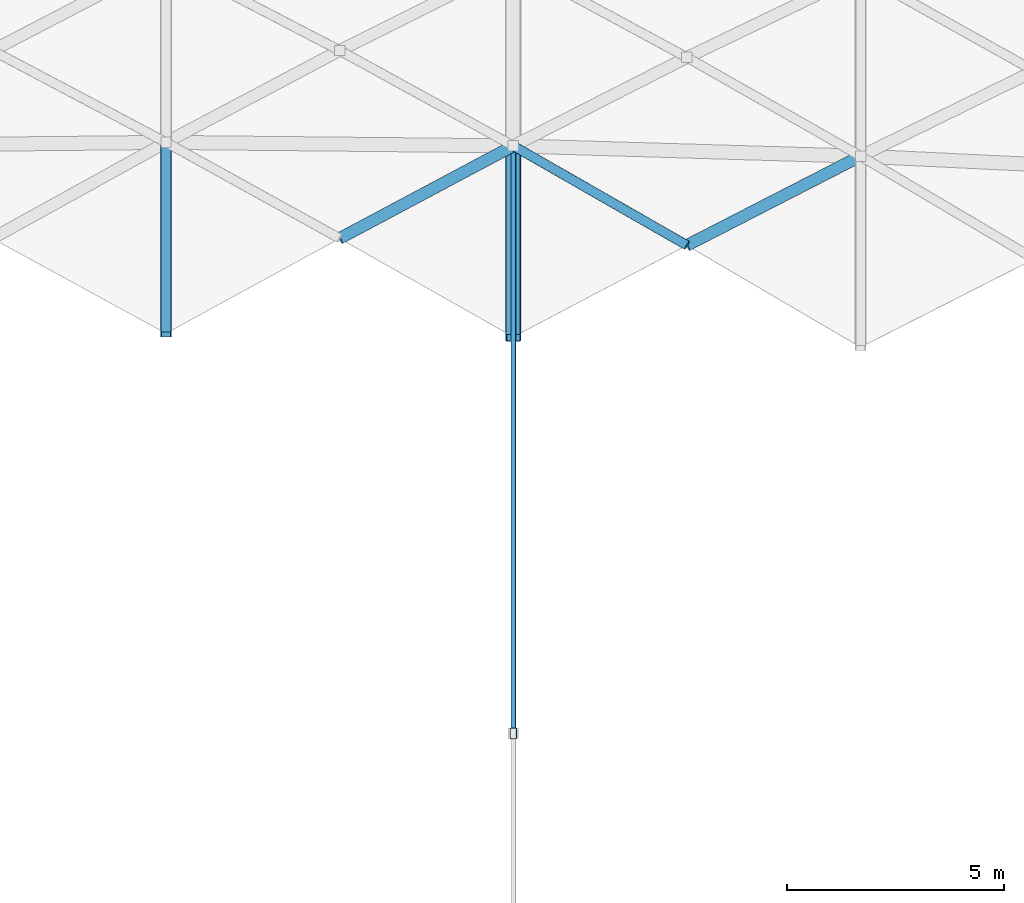
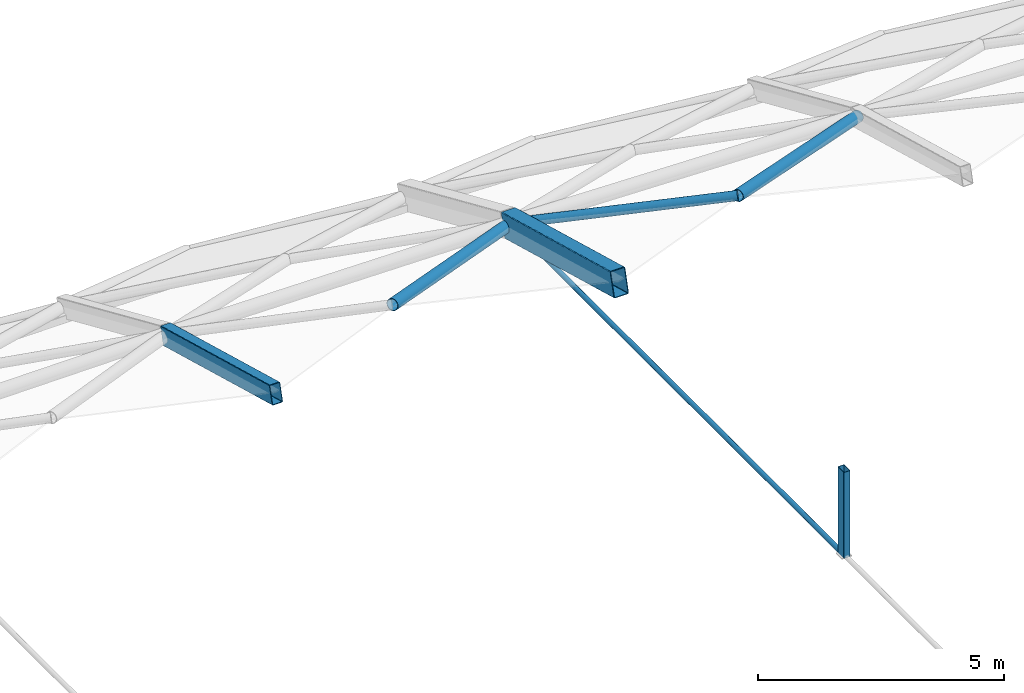
# One storey, part 11 of 54: 5 members, 2 beams.
"""IFC4 building model written with IfcOpenShell, lengths in metres."""

from ifc_helpers import new_model, si_unit, direction, frame, origin, origin_2d, place, context, subcontext, project, spatial, hollow_rectangle, hollow_circle, extrude, material, material_profile, profile_set, type_object, element, save


model = new_model("IFC4")

# Units and contexts
model_context = context("Model", 3, precision=1e-05, world=origin(), true_north=direction((0.0, 1.0)))
body_context = subcontext(model_context, "Body", "Model", "MODEL_VIEW")
ifc_project = project(units=[si_unit("LENGTHUNIT", "METRE"), si_unit("AREAUNIT", "SQUARE_METRE"), si_unit("VOLUMEUNIT", "CUBIC_METRE"), si_unit("PLANEANGLEUNIT", "RADIAN"), si_unit("MASSUNIT", "GRAM", prefix="KILO")], contexts=[model_context])

# Site, building, storey
site_placement = place(None, origin())
site = spatial("IfcSite", under=ifc_project, at=site_placement, CompositionType="ELEMENT")
building_placement = place(site_placement, origin())
building = spatial("IfcBuilding", under=site, at=building_placement, Name="Kenh Van Central Station", CompositionType="ELEMENT")
storey_placement = place(building_placement, frame((0.0, 0.0, 15.0)))
storey = spatial("IfcBuildingStorey", under=building, at=storey_placement, Name="L03", CompositionType="ELEMENT", Elevation=15.0)

# Beams
ifc_material = material(Name="White fluoropolymer structural steel S355", Category="steel")
ifc_material_profile_1 = material_profile(ifc_material, hollow_rectangle(XDim=0.35009765625, YDim=0.60009765625, WallThickness=0.01611328125, InnerFilletRadius=0.01611328125, OuterFilletRadius=0.031982421875, at=origin_2d()), Name="RHS 600x350x16")
ifc_profile_set_1 = profile_set([ifc_material_profile_1], Name="White fluoropolymer structural steel S355")
beam_type_1 = type_object("IfcBeamType", Name="BM-VAULT-ARCH600", PredefinedType="BEAM", material=ifc_profile_set_1)
beam_1_placement = place(storey_placement, frame((96.0, 100.23291015625, 5.28173828125), z_axis=(0.0, 0.964381836979, -0.264514030829), x_axis=(-1.0, 0.0, 0.0)))
element("IfcBeam", 1, at=beam_1_placement, inside=storey, type_object=beam_type_1, Name="Vault transverse arch 102", PredefinedType="BEAM", context=body_context, shape_type="SweptSolid", body=[
    extrude(hollow_rectangle(XDim=0.35009765625, YDim=0.60009765625, WallThickness=0.01611328125, InnerFilletRadius=0.01611328125, OuterFilletRadius=0.031982421875, at=origin_2d()), origin(), (0.0, 0.0, 1.0), 4.58447265625),
])
ifc_material_profile_2 = material_profile(ifc_material, hollow_rectangle(XDim=0.25, YDim=0.449951171875, WallThickness=0.012451171875, InnerFilletRadius=0.012451171875, OuterFilletRadius=0.02490234375, at=origin_2d()), Name="RHS 450x250x12.5")
ifc_profile_set_2 = profile_set([ifc_material_profile_2], Name="White fluoropolymer structural steel S355")
beam_type_2 = type_object("IfcBeamType", Name="BM-VAULT-SUB450", PredefinedType="BEAM", material=ifc_profile_set_2)
beam_2_placement = place(storey_placement, frame((88.0, 100.31298828125, 5.28173828125), z_axis=(0.0, 0.96438556277, -0.26450044673), x_axis=(-1.0, 0.0, 0.0)))
element("IfcBeam", 2, at=beam_2_placement, inside=storey, type_object=beam_type_2, Name="Vault transverse arch 090", PredefinedType="BEAM", context=body_context, shape_type="SweptSolid", body=[
    extrude(hollow_rectangle(XDim=0.25, YDim=0.449951171875, WallThickness=0.012451171875, InnerFilletRadius=0.012451171875, OuterFilletRadius=0.02490234375, at=origin_2d()), origin(), (0.0, 0.0, 1.0), 4.584716796875),
])

# Members
ifc_material_profile_3 = material_profile(ifc_material, hollow_rectangle(XDim=0.14990234375, YDim=0.25, WallThickness=0.008056640625, InnerFilletRadius=0.008056640625, OuterFilletRadius=0.01611328125, at=origin_2d()), Name="RHS 250x150x8")
ifc_profile_set_3 = profile_set([ifc_material_profile_3], Name="White fluoropolymer structural steel S355")
member_type_1 = type_object("IfcMemberType", Name="MEM-STR-RHS250", PredefinedType="STRUT", material=ifc_profile_set_3)
member_1_placement = place(storey_placement, frame((96.0, 91.119873046875, 4.069091796875), z_axis=(0.0, 0.0, 1.0), x_axis=(1.0, 0.0, 0.0)))
element("IfcMember", 3, at=member_1_placement, inside=storey, type_object=member_type_1, Name="Vault internal crown king strut 005", PredefinedType="STRUT", context=body_context, shape_type="SweptSolid", body=[
    extrude(hollow_rectangle(XDim=0.14990234375, YDim=0.25, WallThickness=0.008056640625, InnerFilletRadius=0.008056640625, OuterFilletRadius=0.01611328125, at=origin_2d()), origin(), (0.0, 0.0, 1.0), 2.130859375),
])
ifc_material_profile_4 = material_profile(ifc_material, hollow_circle(Radius=0.109619140625, WallThickness=0.008056640625, at=origin_2d()), Name="CHS 219.1x8")
ifc_profile_set_4 = profile_set([ifc_material_profile_4], Name="White fluoropolymer structural steel S355")
member_type_2 = type_object("IfcMemberType", Name="MEM-VAULT-BRC219", PredefinedType="BRACE", material=ifc_profile_set_4)
member_2_placement = place(storey_placement, frame((96.0, 104.654052734375, 4.069091796875), z_axis=(0.858572645355, -0.491698433311, 0.14520903322), x_axis=(0.496965774085, 0.867770142024, 0.0)))
element("IfcMember", 4, at=member_2_placement, inside=storey, type_object=member_type_2, Name="Vault diamond grid member 0387", PredefinedType="BRACE", context=body_context, shape_type="SweptSolid", body=[
    extrude(hollow_circle(Radius=0.109619140625, WallThickness=0.008056640625, at=origin_2d()), origin(), (0.0, 0.0, 1.0), 4.658935546875),
])
ifc_material_profile_5 = material_profile(ifc_material, hollow_circle(Radius=0.05712890625, WallThickness=0.010009765625, at=origin_2d()), Name="CHS 114.3x10")
ifc_profile_set_5 = profile_set([ifc_material_profile_5], Name="White fluoropolymer structural steel S355")
member_type_3 = type_object("IfcMemberType", Name="MEM-VAULT-CBL114", PredefinedType="BRACE", material=ifc_profile_set_5)
member_3_placement = place(storey_placement, frame((96.0, 91.119873046875, 4.069091796875), z_axis=(0.0, 1.0, 0.0), x_axis=(-1.0, 0.0, 0.0)))
element("IfcMember", 5, at=member_3_placement, inside=storey, type_object=member_type_3, Name="Vault internal bowstring tension tie 10", PredefinedType="BRACE", context=body_context, shape_type="SweptSolid", body=[
    extrude(hollow_circle(Radius=0.05712890625, WallThickness=0.010009765625, at=origin_2d()), origin(), (0.0, 0.0, 1.0), 13.5341796875),
])
ifc_material_profile_6 = material_profile(ifc_material, hollow_circle(Radius=0.136474609375, WallThickness=0.010009765625, at=origin_2d()), Name="CHS 273x10")
ifc_profile_set_6 = profile_set([ifc_material_profile_6], Name="White fluoropolymer structural steel S355")
member_type_4 = type_object("IfcMemberType", Name="MEM-VAULT-CHD273", PredefinedType="CHORD", material=ifc_profile_set_6)
member_4_placement = place(storey_placement, frame((92.0, 102.52294921875, 4.74560546875), z_axis=(0.872886671522, 0.465052963605, -0.14762994182), x_axis=(-0.470205157348, 0.882557142628, 0.0)))
element("IfcMember", 6, at=member_4_placement, inside=storey, type_object=member_type_4, Name="Vault diamond grid member 0361", PredefinedType="CHORD", context=body_context, shape_type="SweptSolid", body=[
    extrude(hollow_circle(Radius=0.136474609375, WallThickness=0.010009765625, at=origin_2d()), origin(), (0.0, 0.0, 1.0), 4.58251953125),
])
member_5_placement = place(storey_placement, frame((100.0, 102.36328125, 4.74560546875), z_axis=(0.87965418327, 0.451746234011, -0.148774520376), x_axis=(-0.456830231259, 0.889553899327, 0.0)))
element("IfcMember", 7, at=member_5_placement, inside=storey, type_object=member_type_4, Name="Vault diamond grid member 0409", PredefinedType="CHORD", context=body_context, shape_type="SweptSolid", body=[
    extrude(hollow_circle(Radius=0.136474609375, WallThickness=0.010009765625, at=origin_2d()), origin(), (0.0, 0.0, 1.0), 4.54736328125),
])

save(model, "model.ifc")
